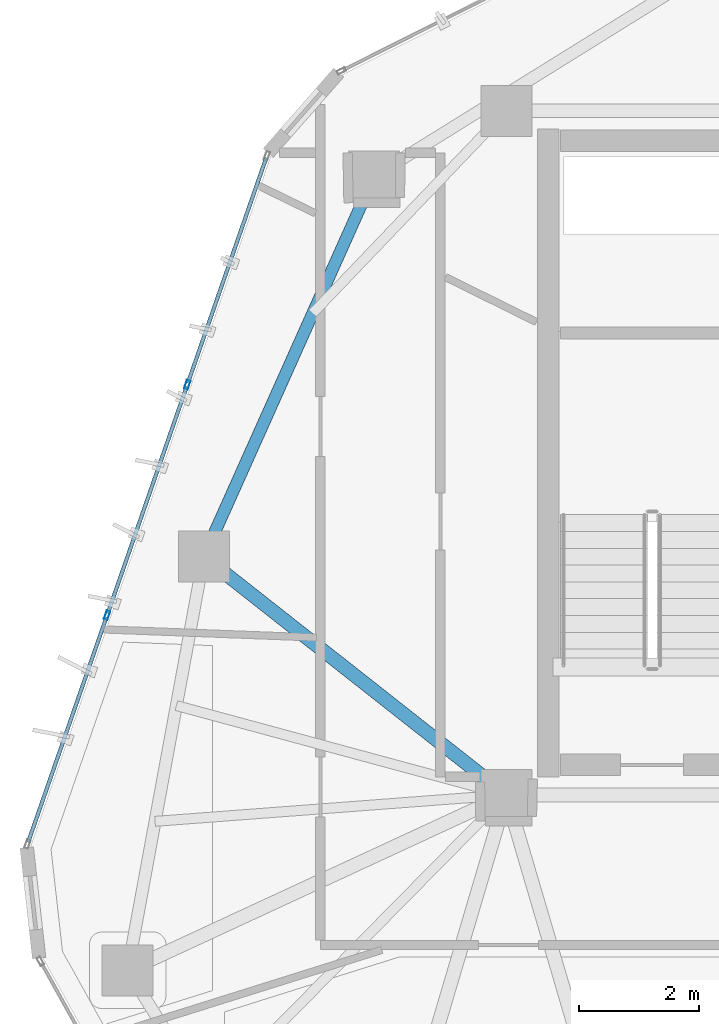
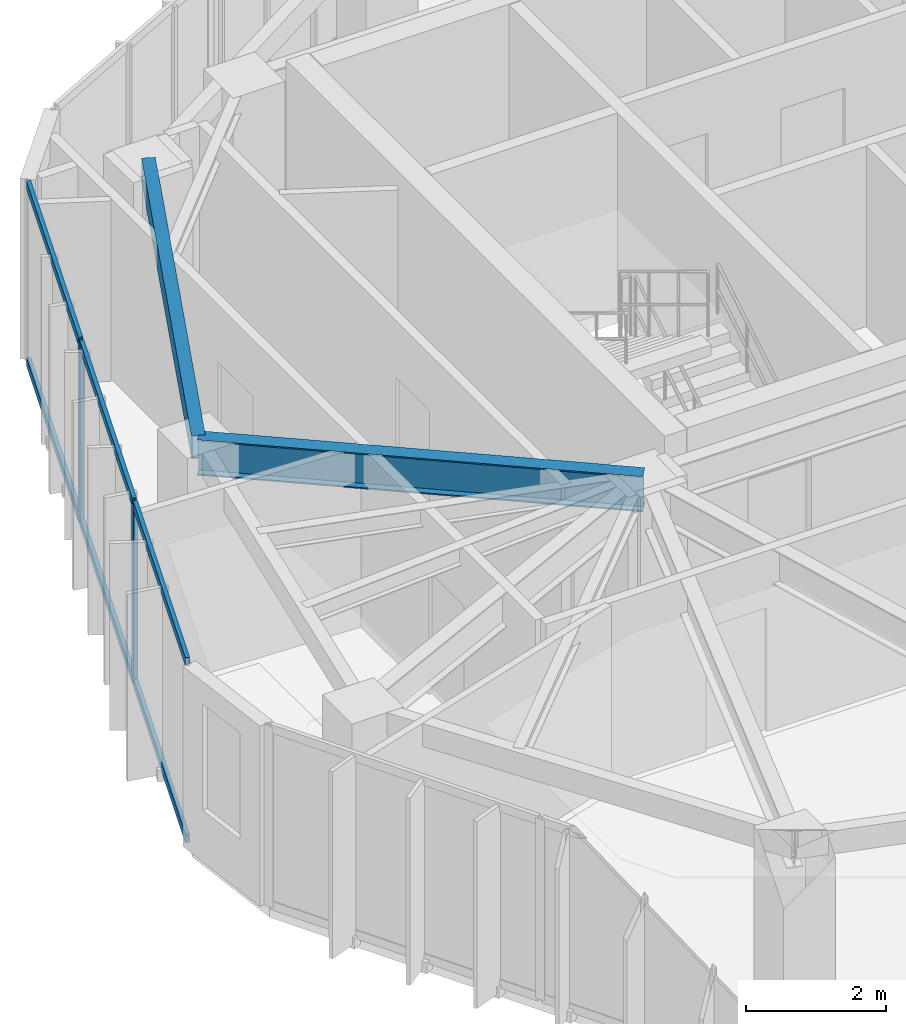
# One storey, part 8 of 21: 8 members, 2 beams, 1 element without a shape of its own.
"""IFC4 building model written with IfcOpenShell, lengths in metres."""

import ifcopenshell
import ifcopenshell.guid

model = None  # the IFC model being written
_history = None  # IfcOwnerHistory: only IFC2X3 demands one
_inside = {}  # id of a spatial element -> (the spatial element, [elements in it])
_under = {}  # id of a project, library or spatial element -> (it, [spatial elements below it])
_declared = {}  # id of a project -> (the project, [libraries it declares])
_typed = {}  # id of a type object -> (the type object, [elements of that type])
_made_of = {}  # id of a material, layer set ... -> (it, [elements and type objects made of it])


def new_model(schema):
    """Start an empty IFC model of exactly this schema.

    Asked for "IFC4X3", IfcOpenShell would pick the latest addendum, in which some entities
    have other attributes; the version numbers below select the first issue.
    IFC2X3 requires an IfcOwnerHistory on every rooted entity: one is made here for all.
    """
    global model, _history
    if schema == "IFC4X3":
        model = ifcopenshell.file(schema_version=(4, 3, 0, 0))
    else:
        model = ifcopenshell.file(schema=schema)
    _inside.clear()
    _under.clear()
    _declared.clear()
    _typed.clear()
    _made_of.clear()
    _history = None
    if model.schema == "IFC2X3":
        org = make("IfcOrganization", Name="unknown")
        user = make(
            "IfcPersonAndOrganization",
            ThePerson=make("IfcPerson", FamilyName="unknown"),
            TheOrganization=org,
        )
        app = make(
            "IfcApplication",
            ApplicationDeveloper=org,
            Version="unknown",
            ApplicationFullName="unknown",
            ApplicationIdentifier="unknown",
        )
        _history = make(
            "IfcOwnerHistory",
            OwningUser=user,
            OwningApplication=app,
            ChangeAction="ADDED",
            CreationDate=0,
        )
    return model


def make(cls, **values):
    """One entity of the class cls with the attributes given. An attribute that is None is left unset."""
    return model.create_entity(
        cls, **{name: value for name, value in values.items() if value is not None}
    )


def rooted(cls, **values):
    """An entity with a GlobalId (a new one), such as an element, a storey or a relation."""
    return make(cls, GlobalId=ifcopenshell.guid.new(), OwnerHistory=_history, **values)


def si_unit(unit_type, name, prefix=None):
    """IfcSIUnit, for example si_unit("LENGTHUNIT", "METRE", prefix="MILLI")."""
    return make("IfcSIUnit", UnitType=unit_type, Prefix=prefix, Name=name)


def assignment(units):
    """IfcUnitAssignment: the units of a project."""
    return None if units is None else make("IfcUnitAssignment", Units=units)


def point(xyz):
    """IfcCartesianPoint."""
    return None if xyz is None else make("IfcCartesianPoint", Coordinates=xyz)


def direction(xyz):
    """IfcDirection."""
    return None if xyz is None else make("IfcDirection", DirectionRatios=xyz)


def frame(location, z_axis=None, x_axis=None):
    """IfcAxis2Placement3D, a coordinate frame: its origin and axes. An axis left out is left unset."""
    return make(
        "IfcAxis2Placement3D",
        Location=point(location),
        Axis=direction(z_axis),
        RefDirection=direction(x_axis),
    )


def frame_2d(location, x_axis=None):
    """IfcAxis2Placement2D, a coordinate frame in the plane: its origin and x axis."""
    return make(
        "IfcAxis2Placement2D", Location=point(location), RefDirection=direction(x_axis)
    )


def origin():
    """The frame at (0, 0, 0) with its axes left unset."""
    return frame((0.0, 0.0, 0.0))


def origin_2d():
    """The frame at (0, 0) in the plane with its x axis left unset."""
    return frame_2d((0.0, 0.0))


def place(relative_to, where):
    """IfcLocalPlacement: puts the frame where relative to a parent placement (None: the world)."""
    return make(
        "IfcLocalPlacement", PlacementRelTo=relative_to, RelativePlacement=where
    )


def context(
    kind, dimensions, precision=None, world=None, true_north=None, identifier=None
):
    """IfcGeometricRepresentationContext, for example the 3D "Model" context."""
    return make(
        "IfcGeometricRepresentationContext",
        ContextIdentifier=identifier,
        ContextType=kind,
        CoordinateSpaceDimension=dimensions,
        Precision=precision,
        WorldCoordinateSystem=world,
        TrueNorth=true_north,
    )


def subcontext(parent, identifier, kind, view, scale=None):
    """IfcGeometricRepresentationSubContext, for example "Body" below "Model"."""
    return make(
        "IfcGeometricRepresentationSubContext",
        ContextIdentifier=identifier,
        ContextType=kind,
        ParentContext=parent,
        TargetScale=scale,
        TargetView=view,
    )


def project(units=None, contexts=None):
    """IfcProject with its units and contexts."""
    return rooted(
        "IfcProject",
        Name="project",
        RepresentationContexts=contexts,
        UnitsInContext=assignment(units),
    )


def spatial(cls, under=None, at=None, **own):
    """A site, building, storey or space (cls), placed at a placement, below another one or the project."""
    s = rooted(cls, ObjectPlacement=at, **own)
    if under is not None:
        _under.setdefault(under.id(), (under, []))[1].append(s)
    return s


def profile(cls, at=None, kind="AREA", **sizes):
    """A parametric profile (cls). Its sizes go by their IFC names, for example OverallWidth=200.0."""
    return make(cls, ProfileType=kind, Position=at, **sizes)


def hollow_rectangle(**sizes):
    """IfcRectangleHollowProfileDef."""
    return profile("IfcRectangleHollowProfileDef", **sizes)


def i_section(**sizes):
    """IfcIShapeProfileDef."""
    return profile("IfcIShapeProfileDef", **sizes)


def extrude(swept, where, along, depth):
    """IfcExtrudedAreaSolid: the profile swept, set in the frame where, extruded along a direction by depth."""
    return make(
        "IfcExtrudedAreaSolid",
        SweptArea=swept,
        Position=where,
        ExtrudedDirection=direction(along),
        Depth=depth,
    )


def shape(context_of_items, identifier, shape_type, items):
    """IfcShapeRepresentation: the items that make up one representation, for example the "Body"."""
    return make(
        "IfcShapeRepresentation",
        ContextOfItems=context_of_items,
        RepresentationIdentifier=identifier,
        RepresentationType=shape_type,
        Items=items,
    )


def source(mapping_origin, context_of_items, identifier, shape_type, items):
    """IfcRepresentationMap: a shape defined once, which mapped items show again and again."""
    return make(
        "IfcRepresentationMap",
        MappingOrigin=mapping_origin,
        MappedRepresentation=shape(context_of_items, identifier, shape_type, items),
    )


def transform(
    local_origin,
    x_axis=None,
    y_axis=None,
    z_axis=None,
    scale=None,
    scale2=None,
    scale3=None,
    uniform=True,
):
    """IfcCartesianTransformationOperator3D, or its non-uniform kind. x_axis, y_axis, z_axis: its Axis1, 2, 3."""
    if uniform:
        return make(
            "IfcCartesianTransformationOperator3D",
            Axis1=direction(x_axis),
            Axis2=direction(y_axis),
            LocalOrigin=point(local_origin),
            Scale=scale,
            Axis3=direction(z_axis),
        )
    return make(
        "IfcCartesianTransformationOperator3DnonUniform",
        Axis1=direction(x_axis),
        Axis2=direction(y_axis),
        LocalOrigin=point(local_origin),
        Scale=scale,
        Axis3=direction(z_axis),
        Scale2=scale2,
        Scale3=scale3,
    )


def mapped(mapping_source, mapping_target):
    """IfcMappedItem: shows the shape of a source again, moved by a transform."""
    return make(
        "IfcMappedItem", MappingSource=mapping_source, MappingTarget=mapping_target
    )


def material(Name=None, Category=None):
    """IfcMaterial."""
    return make("IfcMaterial", Name=Name, Category=Category)


def layer(
    of_material, thickness, ventilated=None, Name=None, Category=None, Priority=None
):
    """IfcMaterialLayer: one layer of a wall or slab, of a material (None: an air gap)."""
    return make(
        "IfcMaterialLayer",
        Material=of_material,
        LayerThickness=thickness,
        IsVentilated=ventilated,
        Name=Name,
        Category=Category,
        Priority=Priority,
    )


def layer_set(layers, Name=None):
    """IfcMaterialLayerSet."""
    return make("IfcMaterialLayerSet", MaterialLayers=layers, LayerSetName=Name)


def material_profile(
    of_material, cross_section, Name=None, Category=None, Priority=None
):
    """IfcMaterialProfile: a cross section and its material."""
    return make(
        "IfcMaterialProfile",
        Name=Name,
        Material=of_material,
        Profile=cross_section,
        Priority=Priority,
        Category=Category,
    )


def profile_set(profiles, Name=None, composite=None):
    """IfcMaterialProfileSet."""
    return make(
        "IfcMaterialProfileSet",
        Name=Name,
        MaterialProfiles=profiles,
        CompositeProfile=composite,
    )


def made_of(thing, what):
    """Note that an element or type object is made of a material, layer set ...; save() writes the relation."""
    if what is not None:
        _made_of.setdefault(what.id(), (what, []))[1].append(thing)
    return thing


def type_object(cls, material=None, **own):
    """A type object (cls), such as IfcWallType, which elements share."""
    return made_of(rooted(cls, **own), material)


def type_shapes(of_type, sources):
    """Give a type object the sources (RepresentationMaps) that its elements show as mapped items."""
    of_type.RepresentationMaps = sources


def element(
    cls,
    number,
    at=None,
    inside=None,
    cuts=None,
    type_object=None,
    material=None,
    context=None,
    identifier="Body",
    shape_type=None,
    held_by="IfcProductDefinitionShape",
    body=None,
    shapes=None,
    **own,
):
    """One element of the class cls, such as IfcWall. Its Tag is "e" and its number.

    at: its placement. inside: the storey or other place that contains it. cuts: it is an
    opening in that element (IfcRelVoidsElement). A single representation is given by context,
    identifier, shape_type and body (its items); several are given by shapes. held_by: the class
    of the entity that holds the representations. save() writes the other relations.
    """
    e = rooted(cls, Tag="e%d" % number, ObjectPlacement=at, **own)
    if body is not None:
        shapes = [shape(context, identifier, shape_type, body)]
    if shapes is not None:
        e.Representation = make(held_by, Representations=shapes)
    if inside is not None:
        _inside.setdefault(inside.id(), (inside, []))[1].append(e)
    if cuts is not None:
        rooted(
            "IfcRelVoidsElement", RelatingBuildingElement=cuts, RelatedOpeningElement=e
        )
    if type_object is not None:
        _typed.setdefault(type_object.id(), (type_object, []))[1].append(e)
    return made_of(e, material)


def aggregate(whole, parts):
    """IfcRelAggregates: a whole, such as a stair, and the parts it consists of."""
    return rooted("IfcRelAggregates", RelatingObject=whole, RelatedObjects=parts)


def save(model, path):
    """Write the relations noted so far, then the file.

    IfcRelAggregates (storeys below a building ...), IfcRelContainedInSpatialStructure (elements
    in a storey), IfcRelDefinesByType, IfcRelAssociatesMaterial and IfcRelDeclares: one each for
    every whole, place, type object, material and project.
    """
    for whole, parts in _under.values():
        aggregate(whole, parts)
    for where, things in _inside.values():
        rooted(
            "IfcRelContainedInSpatialStructure",
            RelatedElements=things,
            RelatingStructure=where,
        )
    for kind, things in _typed.values():
        rooted("IfcRelDefinesByType", RelatedObjects=things, RelatingType=kind)
    for what, things in _made_of.values():
        rooted("IfcRelAssociatesMaterial", RelatedObjects=things, RelatingMaterial=what)
    for by, libraries in _declared.values():
        rooted("IfcRelDeclares", RelatingContext=by, RelatedDefinitions=libraries)
    model.write(path)


model = new_model("IFC4")

# Units and contexts
model_context = context("Model", 3, precision=1e-05, world=origin(), true_north=direction((0.0, 1.0)))
body_context = subcontext(model_context, "Body", "Model", "MODEL_VIEW")
ifc_project = project(units=[si_unit("LENGTHUNIT", "METRE"), si_unit("AREAUNIT", "SQUARE_METRE"), si_unit("VOLUMEUNIT", "CUBIC_METRE"), si_unit("PLANEANGLEUNIT", "RADIAN"), si_unit("MASSUNIT", "GRAM", prefix="KILO")], contexts=[model_context])

# Site, building, storey
site_placement = place(None, origin())
site = spatial("IfcSite", under=ifc_project, at=site_placement, CompositionType="ELEMENT")
building_placement = place(site_placement, origin())
building = spatial("IfcBuilding", under=site, at=building_placement, Name="Talar Marvaseh", CompositionType="ELEMENT")
storey_placement = place(building_placement, frame((0.0, 0.0, 264.60009765625)))
storey = spatial("IfcBuildingStorey", under=building, at=storey_placement, Name="L70", CompositionType="ELEMENT", Elevation=264.60009765625)

# Beams
ifc_material_1 = material(Name="Steel S355", Category="steel")
ifc_material_profile_1 = material_profile(ifc_material_1, hollow_rectangle(XDim=0.199951171875, YDim=0.39990234375, WallThickness=0.013916015625, at=origin_2d()), Name="RHS400x200x14")
ifc_profile_set_1 = profile_set([ifc_material_profile_1], Name="Steel S355")
beam_type_1 = type_object("IfcBeamType", Name="Zone 3 Perimeter Spandrel Beam RHS400x200x14", PredefinedType="SPANDREL", material=ifc_profile_set_1)
beam_1_placement = place(storey_placement, frame((13.657958984375, 29.469970703125, 2.93994140625), z_axis=(0.408486346803, 0.912764429892, 0.0), x_axis=(-0.912764429892, 0.408486346803, 0.0)))
element("IfcBeam", 1, at=beam_1_placement, inside=storey, type_object=beam_type_1, Name="L70 Zone 3 Perimeter Spandrel Beam RHS400x200x14", PredefinedType="SPANDREL", context=body_context, shape_type="SweptSolid", body=[
    extrude(hollow_rectangle(XDim=0.199951171875, YDim=0.39990234375, WallThickness=0.013916015625, at=origin_2d()), origin(), (0.0, 0.0, 1.0), 6.942626953125),
])
ifc_material_profile_2 = material_profile(ifc_material_1, i_section(OverallWidth=0.22998046875, OverallDepth=0.616943359375, WebThickness=0.01318359375, FlangeThickness=0.022216796875, at=origin_2d()), Name="W610x140")
ifc_profile_set_2 = profile_set([ifc_material_profile_2], Name="Steel S355")
beam_type_2 = type_object("IfcBeamType", Name="Zone 4 Radial Floor Girder W610x140", PredefinedType="BEAM", material=ifc_profile_set_2)
beam_2_placement = place(storey_placement, frame((13.657958984375, 29.469970703125, 2.831298828125), z_axis=(0.785681617372, -0.618631066245, 0.0), x_axis=(0.618631066245, 0.785681617372, 0.0)))
element("IfcBeam", 2, at=beam_2_placement, inside=storey, type_object=beam_type_2, Name="L70 Zone 4 Radial Floor Girder W610x140", PredefinedType="BEAM", context=body_context, shape_type="SweptSolid", body=[
    extrude(i_section(OverallWidth=0.22998046875, OverallDepth=0.616943359375, WebThickness=0.01318359375, FlangeThickness=0.022216796875, at=origin_2d()), origin(), (0.0, 0.0, 1.0), 6.417236328125),
])

# Curtain wall, members
ifc_material_2 = material(Name="Architectural Aluminium", Category="aluminium")
ifc_layer = layer(ifc_material_2, 0.179931640625)
ifc_layer_set = layer_set([ifc_layer], Name="Architectural Aluminium")
curtain_wall_type = type_object("IfcCurtainWallType", Name="Unitised High-Wind Sky Curtain Wall Z4", PredefinedType="NOTDEFINED", material=ifc_layer_set)
curtain_wall_placement = place(storey_placement, origin())
curtain_wall = element("IfcCurtainWall", 3, at=curtain_wall_placement, inside=storey, type_object=curtain_wall_type, Name="L70 Unitised High-Wind Sky Curtain Wall Z4", PredefinedType="NOTDEFINED")
ifc_material_profile_3 = material_profile(ifc_material_2, hollow_rectangle(XDim=0.06494140625, YDim=0.14990234375, WallThickness=0.00390625, at=origin_2d()), Name="RHS150x65x4")
ifc_profile_set_3 = profile_set([ifc_material_profile_3], Name="Architectural Aluminium")
member_type_1 = type_object("IfcMemberType", Name="Unitised Curtain Wall Slim Mullion RHS150x65x4", PredefinedType="MULLION", material=ifc_profile_set_3)
shared_shape_1 = source(origin(), body_context, "Body", "SweptSolid", [
    extrude(hollow_rectangle(XDim=0.06494140625, YDim=0.14990234375, WallThickness=0.00390625, at=origin_2d()), origin(), (0.0, 0.0, 1.0), 3.139892578125),
])
type_shapes(member_type_1, [shared_shape_1])
member_1_placement = place(storey_placement, frame((12.046630859375, 28.492431640625, 0.0), z_axis=(0.0, 0.0, 1.0), x_axis=(-0.944480106126, 0.328568606431, 0.0)))
member_1 = element("IfcMember", 4, at=member_1_placement, type_object=member_type_1, Name="CW-Z4 mullion 2", PredefinedType="MULLION", context=body_context, shape_type="MappedRepresentation", body=[
    mapped(shared_shape_1, transform((0.0, 0.0, 0.0), x_axis=(1.0, 0.0, 0.0), y_axis=(0.0, 1.0, 0.0), z_axis=(0.0, 0.0, 1.0), scale=1.0)),
])
member_2_placement = place(storey_placement, frame((13.38330078125, 32.335205078125, 0.0), z_axis=(0.0, 0.0, 1.0), x_axis=(-0.944480106126, 0.328568606431, 0.0)))
member_2 = element("IfcMember", 5, at=member_2_placement, type_object=member_type_1, Name="CW-Z4 mullion 3", PredefinedType="MULLION", context=body_context, shape_type="MappedRepresentation", body=[
    mapped(shared_shape_1, transform((0.0, 0.0, 0.0), x_axis=(1.0, 0.0, 0.0), y_axis=(0.0, 1.0, 0.0), z_axis=(0.0, 0.0, 1.0), scale=1.0)),
])
ifc_material_profile_4 = material_profile(ifc_material_2, hollow_rectangle(XDim=0.06494140625, YDim=0.14990234375, WallThickness=0.00390625, at=origin_2d()), Name="RHS150x65x4")
ifc_profile_set_4 = profile_set([ifc_material_profile_4], Name="Architectural Aluminium")
member_type_2 = type_object("IfcMemberType", Name="Unitised Curtain Wall Slim Transom RHS150x65x4", PredefinedType="USERDEFINED", material=ifc_profile_set_4)
shared_shape_2 = source(origin(), body_context, "Body", "SweptSolid", [
    extrude(hollow_rectangle(XDim=0.06494140625, YDim=0.14990234375, WallThickness=0.00390625, at=origin_2d()), origin(), (0.0, 0.0, 1.0), 3.97119140625),
])
member_3_placement = place(storey_placement, frame((13.39404296875, 32.365966796875, 0.032470703125), z_axis=(0.328539700752, 0.944490161426, 0.0), x_axis=(-0.944490161426, 0.328539700752, 0.0)))
member_3 = element("IfcMember", 6, at=member_3_placement, type_object=member_type_2, Name="CW-Z4 transom 3.1", ObjectType="TRANSOM", PredefinedType="USERDEFINED", context=body_context, shape_type="MappedRepresentation", body=[
    mapped(shared_shape_2, transform((0.0, 0.0, 0.0), x_axis=(1.0, 0.0, 0.0), y_axis=(0.0, 1.0, 0.0), z_axis=(0.0, 0.0, 1.0), scale=1.0)),
])
member_4_placement = place(storey_placement, frame((13.39404296875, 32.365966796875, 3.107421875), z_axis=(0.328539700752, 0.944490161426, 0.0), x_axis=(-0.944490161426, 0.328539700752, 0.0)))
member_4 = element("IfcMember", 7, at=member_4_placement, type_object=member_type_2, Name="CW-Z4 transom 3.2", ObjectType="TRANSOM", PredefinedType="USERDEFINED", context=body_context, shape_type="MappedRepresentation", body=[
    mapped(shared_shape_2, transform((0.0, 0.0, 0.0), x_axis=(1.0, 0.0, 0.0), y_axis=(0.0, 1.0, 0.0), z_axis=(0.0, 0.0, 1.0), scale=1.0)),
])
shared_shape_3 = source(origin(), body_context, "Body", "SweptSolid", [
    extrude(hollow_rectangle(XDim=0.06494140625, YDim=0.14990234375, WallThickness=0.00390625, at=origin_2d()), origin(), (0.0, 0.0, 1.0), 4.003662109375),
])
member_5_placement = place(storey_placement, frame((12.05712890625, 28.523193359375, 0.032470703125), z_axis=(0.328622325267, 0.944461416542, 0.0), x_axis=(-0.944461416542, 0.328622325267, 0.0)))
member_5 = element("IfcMember", 8, at=member_5_placement, type_object=member_type_2, Name="CW-Z4 transom 2.1", ObjectType="TRANSOM", PredefinedType="USERDEFINED", context=body_context, shape_type="MappedRepresentation", body=[
    mapped(shared_shape_3, transform((0.0, 0.0, 0.0), x_axis=(1.0, 0.0, 0.0), y_axis=(0.0, 1.0, 0.0), z_axis=(0.0, 0.0, 1.0), scale=1.0)),
])
member_6_placement = place(storey_placement, frame((12.05712890625, 28.523193359375, 3.107421875), z_axis=(0.328622325267, 0.944461416542, 0.0), x_axis=(-0.944461416542, 0.328622325267, 0.0)))
member_6 = element("IfcMember", 9, at=member_6_placement, type_object=member_type_2, Name="CW-Z4 transom 2.2", ObjectType="TRANSOM", PredefinedType="USERDEFINED", context=body_context, shape_type="MappedRepresentation", body=[
    mapped(shared_shape_3, transform((0.0, 0.0, 0.0), x_axis=(1.0, 0.0, 0.0), y_axis=(0.0, 1.0, 0.0), z_axis=(0.0, 0.0, 1.0), scale=1.0)),
])
shared_shape_4 = source(origin(), body_context, "Body", "SweptSolid", [
    extrude(hollow_rectangle(XDim=0.06494140625, YDim=0.14990234375, WallThickness=0.00390625, at=origin_2d()), origin(), (0.0, 0.0, 1.0), 3.970947265625),
])
type_shapes(member_type_2, [shared_shape_2, shared_shape_3, shared_shape_4])
member_7_placement = place(storey_placement, frame((10.73095703125, 24.711181640625, 0.032470703125), z_axis=(0.328613621776, 0.944464444849, 0.0), x_axis=(-0.944464444849, 0.328613621776, 0.0)))
member_7 = element("IfcMember", 10, at=member_7_placement, type_object=member_type_2, Name="CW-Z4 transom 1.1", ObjectType="TRANSOM", PredefinedType="USERDEFINED", context=body_context, shape_type="MappedRepresentation", body=[
    mapped(shared_shape_4, transform((0.0, 0.0, 0.0), x_axis=(1.0, 0.0, 0.0), y_axis=(0.0, 1.0, 0.0), z_axis=(0.0, 0.0, 1.0), scale=1.0)),
])
member_8_placement = place(storey_placement, frame((10.73095703125, 24.711181640625, 3.107421875), z_axis=(0.328613621776, 0.944464444849, 0.0), x_axis=(-0.944464444849, 0.328613621776, 0.0)))
member_8 = element("IfcMember", 11, at=member_8_placement, type_object=member_type_2, Name="CW-Z4 transom 1.2", ObjectType="TRANSOM", PredefinedType="USERDEFINED", context=body_context, shape_type="MappedRepresentation", body=[
    mapped(shared_shape_4, transform((0.0, 0.0, 0.0), x_axis=(1.0, 0.0, 0.0), y_axis=(0.0, 1.0, 0.0), z_axis=(0.0, 0.0, 1.0), scale=1.0)),
])
aggregate(curtain_wall, [member_1, member_2, member_7, member_8, member_5, member_6, member_3, member_4])

save(model, "model.ifc")
